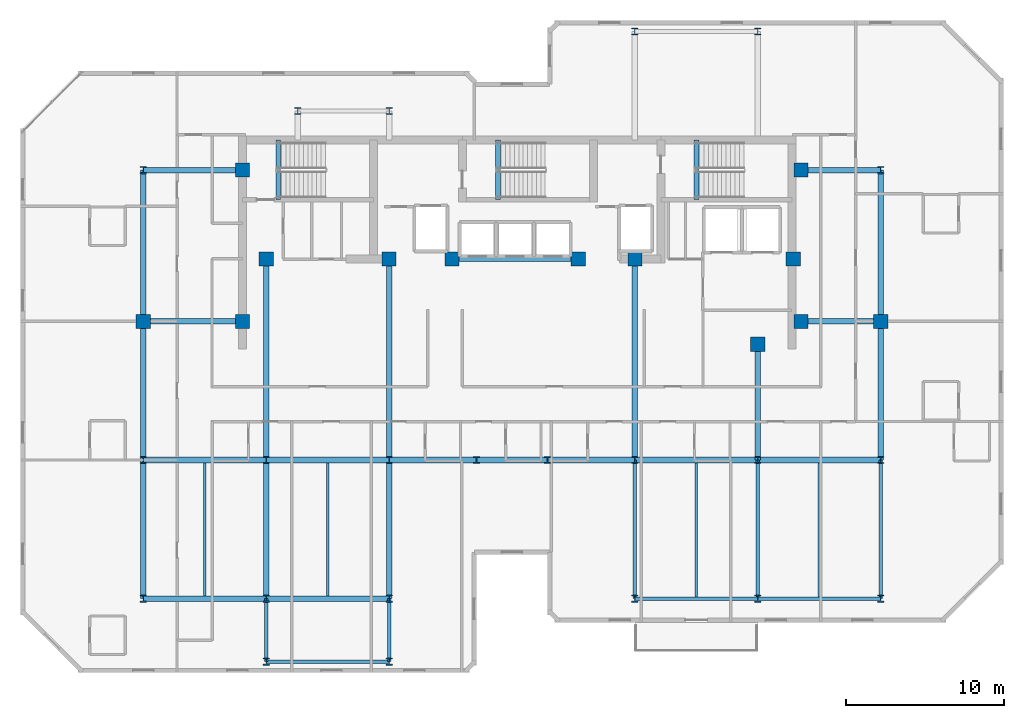
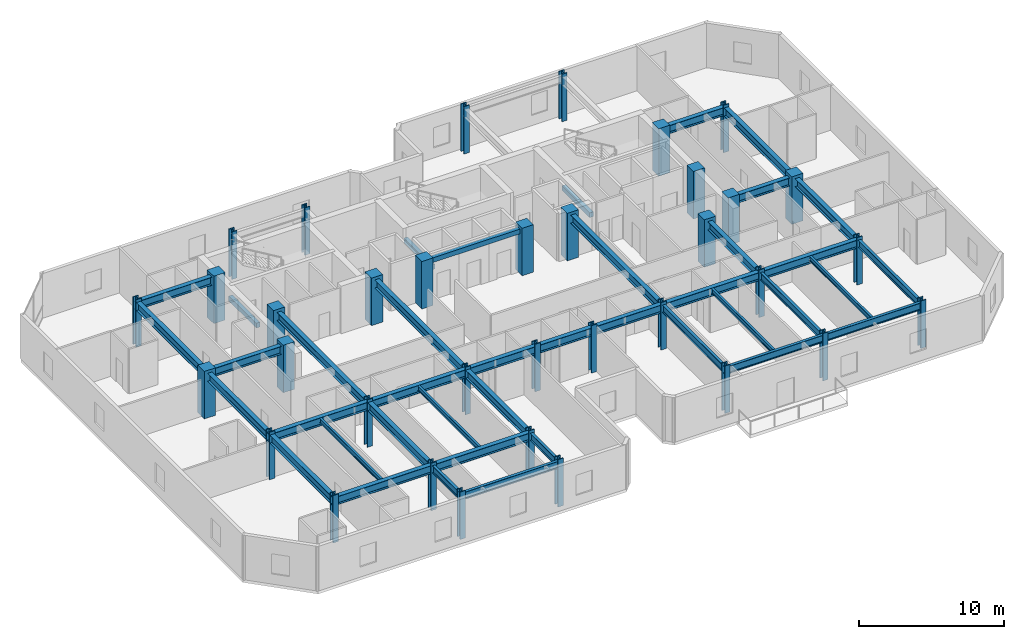
# One storey, part 1 of 11: 40 beams, 35 columns.
"""IFC4 building model written with IfcOpenShell, lengths in metres."""

from ifc_helpers import new_model, si_unit, direction, frame, origin, origin_2d, place, context, subcontext, project, spatial, rectangle, i_section, extrude, material, material_profile, profile_set, type_object, element, save


model = new_model("IFC4")

# Units and contexts
model_context = context("Model", 3, precision=1e-05, world=origin(), true_north=direction((0.0, 1.0)))
body_context = subcontext(model_context, "Body", "Model", "MODEL_VIEW")
ifc_project = project(units=[si_unit("LENGTHUNIT", "METRE"), si_unit("AREAUNIT", "SQUARE_METRE"), si_unit("VOLUMEUNIT", "CUBIC_METRE"), si_unit("PLANEANGLEUNIT", "RADIAN"), si_unit("MASSUNIT", "GRAM", prefix="KILO")], contexts=[model_context])

# Site, building, storey
site_placement = place(None, origin())
site = spatial("IfcSite", under=ifc_project, at=site_placement, CompositionType="ELEMENT")
building_placement = place(site_placement, origin())
building = spatial("IfcBuilding", under=site, at=building_placement, Name="Kestravale Grand Hotel", CompositionType="ELEMENT")
storey_placement = place(building_placement, frame((0.0, 0.0, 289.39990234375)))
storey = spatial("IfcBuildingStorey", under=building, at=storey_placement, Name="L72", CompositionType="ELEMENT", Elevation=289.39990234375)

# Columns
ifc_material_1 = material(Name="Concrete f'c 50 MPa", Category="concrete")
ifc_material_profile_1 = material_profile(ifc_material_1, rectangle(XDim=0.89990234375, YDim=0.89990234375, at=origin_2d()))
ifc_profile_set_1 = profile_set([ifc_material_profile_1], Name="Concrete f'c 50 MPa")
column_type_1 = type_object("IfcColumnType", Name="C-Z4-900", PredefinedType="COLUMN", material=ifc_profile_set_1)
for number, where, z_axis, x_axis, name in (
    (1, (15.60009765625, 28.800048828125, 0.0), (0.0, 0.0, 1.0), (1.0, 0.0, 0.0), "L72 column 3-E"),
    (2, (62.39990234375, 28.800048828125, 0.0), (0.0, 0.0, 1.0), (1.0, 0.0, 0.0), "L72 column 10-E"),
    (3, (21.89990234375, 28.800048828125, 0.0), (0.0, 0.0, 1.0), (1.0, 0.0, 0.0), "L72 column CW-E"),
    (4, (21.89990234375, 38.39990234375, 0.0), (0.0, 0.0, 1.0), (1.0, 0.0, 0.0), "L72 column CW-F"),
    (5, (57.35009765625, 28.800048828125, 0.0), (0.0, 0.0, 1.0), (1.0, 0.0, 0.0), "L72 column CE-E"),
    (6, (57.35009765625, 38.39990234375, 0.0), (0.0, 0.0, 1.0), (1.0, 0.0, 0.0), "L72 column CE-F"),
    (7, (23.39990234375, 32.75, 0.0), (0.0, 0.0, 1.0), (1.0, 0.0, 0.0), "L72 column 4-CS"),
    (8, (31.199951171875, 32.75, 0.0), (0.0, 0.0, 1.0), (1.0, 0.0, 0.0), "L72 column 5-CS"),
    (9, (35.199951171875, 32.75, 0.0), (0.0, 0.0, 1.0), (1.0, 0.0, 0.0), "L72 column 6C-CS"),
    (10, (43.199951171875, 32.75, 0.0), (0.0, 0.0, 1.0), (1.0, 0.0, 0.0), "L72 column 7C-CS"),
    (11, (46.800048828125, 32.75, 0.0), (0.0, 0.0, 1.0), (1.0, 0.0, 0.0), "L72 column 8-CS"),
    (12, (54.60009765625, 27.35009765625, 0.0), (0.0, 0.0, 1.0), (1.0, 0.0, 0.0), "L72 column 9-CS"),
    (13, (56.85009765625, 32.75, 0.0), (0.0, 0.0, 1.0), (1.0, 0.0, 0.0), "L72 column 9C-CS"),
):
    element("IfcColumn", number, at=place(storey_placement, frame(where, z_axis=z_axis, x_axis=x_axis)), inside=storey, type_object=column_type_1, Name=name, PredefinedType="COLUMN", context=body_context, shape_type="SweptSolid", body=[
        extrude(rectangle(XDim=0.89990234375, YDim=0.89990234375, at=origin_2d()), origin(), (0.0, 0.0, 1.0), 4.0),
    ])
ifc_material_2 = material(Name="Steel ASTM A992 Grade 50", Category="steel")
ifc_material_profile_2 = material_profile(ifc_material_2, i_section(OverallWidth=0.422119140625, OverallDepth=0.465087890625, WebThickness=0.044921875, FlangeThickness=0.072509765625, FilletRadius=0.0166015625, at=origin_2d()))
ifc_profile_set_2 = profile_set([ifc_material_profile_2], Name="Steel ASTM A992 Grade 50")
column_type_2 = type_object("IfcColumnType", Name="C-Z4-W14X398", PredefinedType="COLUMN", material=ifc_profile_set_2)
for number, where, z_axis, x_axis, name in (
    (14, (15.60009765625, 11.199951171875, 0.0), (0.0, 0.0, 1.0), (1.0, 0.0, 0.0), "L72 column 3-C"),
    (15, (15.60009765625, 20.0, 0.0), (0.0, 0.0, 1.0), (1.0, 0.0, 0.0), "L72 column 3-D"),
    (16, (15.60009765625, 38.39990234375, 0.0), (0.0, 0.0, 1.0), (1.0, 0.0, 0.0), "L72 column 3-F"),
    (17, (23.39990234375, 11.199951171875, 0.0), (0.0, 0.0, 1.0), (1.0, 0.0, 0.0), "L72 column 4-C"),
    (18, (23.39990234375, 20.0, 0.0), (0.0, 0.0, 1.0), (1.0, 0.0, 0.0), "L72 column 4-D"),
    (19, (31.199951171875, 11.199951171875, 0.0), (0.0, 0.0, 1.0), (1.0, 0.0, 0.0), "L72 column 5-C"),
    (20, (31.199951171875, 20.0, 0.0), (0.0, 0.0, 1.0), (1.0, 0.0, 0.0), "L72 column 5-D"),
    (21, (36.75, 20.0, 0.0), (0.0, 0.0, 1.0), (1.0, 0.0, 0.0), "L72 column 6-D"),
    (22, (41.25, 20.0, 0.0), (0.0, 0.0, 1.0), (1.0, 0.0, 0.0), "L72 column 7-D"),
    (23, (46.800048828125, 11.199951171875, 0.0), (0.0, 0.0, 1.0), (1.0, 0.0, 0.0), "L72 column 8-C"),
    (24, (46.800048828125, 20.0, 0.0), (0.0, 0.0, 1.0), (1.0, 0.0, 0.0), "L72 column 8-D"),
    (25, (46.800048828125, 47.199951171875, 0.0), (0.0, 0.0, 1.0), (1.0, 0.0, 0.0), "L72 column 8-G"),
    (26, (54.60009765625, 11.199951171875, 0.0), (0.0, 0.0, 1.0), (1.0, 0.0, 0.0), "L72 column 9-C"),
    (27, (54.60009765625, 20.0, 0.0), (0.0, 0.0, 1.0), (1.0, 0.0, 0.0), "L72 column 9-D"),
    (28, (54.60009765625, 47.199951171875, 0.0), (0.0, 0.0, 1.0), (1.0, 0.0, 0.0), "L72 column 9-G"),
    (29, (62.39990234375, 11.199951171875, 0.0), (0.0, 0.0, 1.0), (1.0, 0.0, 0.0), "L72 column 10-C"),
    (30, (62.39990234375, 20.0, 0.0), (0.0, 0.0, 1.0), (1.0, 0.0, 0.0), "L72 column 10-D"),
    (31, (62.39990234375, 38.39990234375, 0.0), (0.0, 0.0, 1.0), (1.0, 0.0, 0.0), "L72 column 10-F"),
    (32, (23.39990234375, 7.199951171875, 0.0), (0.0, 0.0, 1.0), (1.0, 0.0, 0.0), "L72 column 4-BS"),
    (33, (31.199951171875, 7.199951171875, 0.0), (0.0, 0.0, 1.0), (1.0, 0.0, 0.0), "L72 column 5-BS"),
    (34, (25.39990234375, 42.14990234375, 0.0), (0.0, 0.0, 1.0), (1.0, 0.0, 0.0), "L72 column 4-FN"),
    (35, (31.199951171875, 42.14990234375, 0.0), (0.0, 0.0, 1.0), (1.0, 0.0, 0.0), "L72 column 5-FN"),
):
    element("IfcColumn", number, at=place(storey_placement, frame(where, z_axis=z_axis, x_axis=x_axis)), inside=storey, type_object=column_type_2, Name=name, PredefinedType="COLUMN", context=body_context, shape_type="SweptSolid", body=[
        extrude(i_section(OverallWidth=0.422119140625, OverallDepth=0.465087890625, WebThickness=0.044921875, FlangeThickness=0.072509765625, FilletRadius=0.0166015625, at=origin_2d()), origin(), (0.0, 0.0, 1.0), 4.0),
    ])

# Beams
ifc_material_3 = material(Name="Steel ASTM A992 Grade 50", Category="steel")
ifc_material_profile_3 = material_profile(ifc_material_3, i_section(OverallWidth=0.177978515625, OverallDepth=0.404052734375, WebThickness=0.007568359375, FlangeThickness=0.010986328125, FilletRadius=0.01416015625, at=origin_2d()))
ifc_profile_set_3 = profile_set([ifc_material_profile_3], Name="Steel ASTM A992 Grade 50")
beam_type_1 = type_object("IfcBeamType", Name="B-FLR-JST16", PredefinedType="JOIST", material=ifc_profile_set_3)
for number, where, z_axis, x_axis, name in (
    (36, (19.5, 11.3779296875, 3.55810546875), (0.0, 1.0, 0.0), (-1.0, 0.0, 0.0), "L72 floor joist 3-4/C-D #1"),
    (37, (27.300048828125, 11.3779296875, 3.55810546875), (0.0, 1.0, 0.0), (-1.0, 0.0, 0.0), "L72 floor joist 4-5/C-D #1"),
):
    element("IfcBeam", number, at=place(storey_placement, frame(where, z_axis=z_axis, x_axis=x_axis)), inside=storey, type_object=beam_type_1, Name=name, PredefinedType="JOIST", context=body_context, shape_type="SweptSolid", body=[
        extrude(i_section(OverallWidth=0.177978515625, OverallDepth=0.404052734375, WebThickness=0.007568359375, FlangeThickness=0.010986328125, FilletRadius=0.01416015625, at=origin_2d()), origin(), (0.0, 0.0, 1.0), 8.444091796875),
    ])
for number, where, z_axis, x_axis, name in (
    (38, (50.699951171875, 11.314453125, 3.55810546875), (0.0, 1.0, 0.0), (-1.0, 0.0, 0.0), "L72 floor joist 8-9/C-D #1"),
    (39, (58.5, 11.314453125, 3.55810546875), (0.0, 1.0, 0.0), (-1.0, 0.0, 0.0), "L72 floor joist 9-10/C-D #1"),
):
    element("IfcBeam", number, at=place(storey_placement, frame(where, z_axis=z_axis, x_axis=x_axis)), inside=storey, type_object=beam_type_1, Name=name, PredefinedType="JOIST", context=body_context, shape_type="SweptSolid", body=[
        extrude(i_section(OverallWidth=0.177978515625, OverallDepth=0.404052734375, WebThickness=0.007568359375, FlangeThickness=0.010986328125, FilletRadius=0.01416015625, at=origin_2d()), origin(), (0.0, 0.0, 1.0), 8.507568359375),
    ])
ifc_material_4 = material(Name="Concrete f'c 45 MPa", Category="concrete")
ifc_material_profile_4 = material_profile(ifc_material_4, rectangle(XDim=0.300048828125, YDim=0.39990234375, at=origin_2d()))
ifc_profile_set_4 = profile_set([ifc_material_profile_4], Name="Concrete f'c 45 MPa")
beam_type_2 = type_object("IfcBeamType", Name="B-FLR-LNT400", PredefinedType="LINTEL", material=ifc_profile_set_4)
beam_1_placement = place(storey_placement, frame((35.199951171875, 32.75, 3.56005859375), z_axis=(1.0, 0.0, 0.0), x_axis=(0.0, 1.0, 0.0)))
element("IfcBeam", 40, at=beam_1_placement, inside=storey, type_object=beam_type_2, Name="L72 core portal header lintel", PredefinedType="LINTEL", context=body_context, shape_type="SweptSolid", body=[
    extrude(rectangle(XDim=0.300048828125, YDim=0.39990234375, at=origin_2d()), origin(), (0.0, 0.0, 1.0), 8.0),
])
for number, where, z_axis, x_axis, name in (
    (41, (24.159912109375, 36.52001953125, -0.199951171875), (0.0, 1.0, 0.0), (-1.0, 0.0, 0.0), "L72 ST1 flight bottom header beam"),
    (42, (38.110107421875, 36.52001953125, -0.199951171875), (0.0, 1.0, 0.0), (-1.0, 0.0, 0.0), "L72 ST2 flight bottom header beam"),
    (43, (50.7099609375, 36.52001953125, -0.199951171875), (0.0, 1.0, 0.0), (-1.0, 0.0, 0.0), "L72 ST3 flight bottom header beam"),
):
    element("IfcBeam", number, at=place(storey_placement, frame(where, z_axis=z_axis, x_axis=x_axis)), inside=storey, type_object=beam_type_2, Name=name, PredefinedType="LINTEL", context=body_context, shape_type="SweptSolid", body=[
        extrude(rectangle(XDim=0.300048828125, YDim=0.39990234375, at=origin_2d()), origin(), (0.0, 0.0, 1.0), 3.800048828125),
    ])
ifc_material_5 = material(Name="Steel ASTM A992 Grade 50", Category="steel")
ifc_material_profile_5 = material_profile(ifc_material_5, i_section(OverallWidth=0.22900390625, OverallDepth=0.612060546875, WebThickness=0.011962890625, FlangeThickness=0.01953125, FilletRadius=0.019287109375, at=origin_2d()))
ifc_profile_set_5 = profile_set([ifc_material_profile_5], Name="Steel ASTM A992 Grade 50")
beam_type_3 = type_object("IfcBeamType", Name="B-FLR-W24B", PredefinedType="SPANDREL", material=ifc_profile_set_5)
beam_2_placement = place(storey_placement, frame((46.800048828125, 11.199951171875, 3.4541015625), z_axis=(1.0, 0.0, 0.0), x_axis=(0.0, 1.0, 0.0)))
element("IfcBeam", 44, at=beam_2_placement, inside=storey, type_object=beam_type_3, Name="L72 spandrel C:8-9", PredefinedType="SPANDREL", context=body_context, shape_type="SweptSolid", body=[
    extrude(i_section(OverallWidth=0.22900390625, OverallDepth=0.612060546875, WebThickness=0.011962890625, FlangeThickness=0.01953125, FilletRadius=0.019287109375, at=origin_2d()), origin(), (0.0, 0.0, 1.0), 7.800048828125),
])
beam_3_placement = place(storey_placement, frame((54.60009765625, 11.199951171875, 3.4541015625), z_axis=(1.0, 0.0, 0.0), x_axis=(0.0, 1.0, 0.0)))
element("IfcBeam", 45, at=beam_3_placement, inside=storey, type_object=beam_type_3, Name="L72 spandrel C:9-10", PredefinedType="SPANDREL", context=body_context, shape_type="SweptSolid", body=[
    extrude(i_section(OverallWidth=0.22900390625, OverallDepth=0.612060546875, WebThickness=0.011962890625, FlangeThickness=0.01953125, FilletRadius=0.019287109375, at=origin_2d()), origin(), (0.0, 0.0, 1.0), 7.7998046875),
])
beam_4_placement = place(storey_placement, frame((23.39990234375, 7.199951171875, 3.4541015625), z_axis=(1.0, 0.0, 0.0), x_axis=(0.0, 1.0, 0.0)))
element("IfcBeam", 46, at=beam_4_placement, inside=storey, type_object=beam_type_3, Name="L72 perimeter tie spandrel BS:4-5", PredefinedType="SPANDREL", context=body_context, shape_type="SweptSolid", body=[
    extrude(i_section(OverallWidth=0.22900390625, OverallDepth=0.612060546875, WebThickness=0.011962890625, FlangeThickness=0.01953125, FilletRadius=0.019287109375, at=origin_2d()), origin(), (0.0, 0.0, 1.0), 7.800048828125),
])
for number, where, z_axis, x_axis, name in (
    (47, (23.39990234375, 7.199951171875, 3.4541015625), (0.0, 1.0, 0.0), (-1.0, 0.0, 0.0), "L72 spandrel 4:BS-C"),
    (48, (31.199951171875, 7.199951171875, 3.4541015625), (0.0, 1.0, 0.0), (-1.0, 0.0, 0.0), "L72 spandrel 5:BS-C"),
):
    element("IfcBeam", number, at=place(storey_placement, frame(where, z_axis=z_axis, x_axis=x_axis)), inside=storey, type_object=beam_type_3, Name=name, PredefinedType="SPANDREL", context=body_context, shape_type="SweptSolid", body=[
        extrude(i_section(OverallWidth=0.22900390625, OverallDepth=0.612060546875, WebThickness=0.011962890625, FlangeThickness=0.01953125, FilletRadius=0.019287109375, at=origin_2d()), origin(), (0.0, 0.0, 1.0), 4.0),
    ])
for number, where, z_axis, x_axis, name in (
    (49, (46.800048828125, 11.199951171875, 3.4541015625), (0.0, 1.0, 0.0), (-1.0, 0.0, 0.0), "L72 spandrel 8:C-D"),
    (50, (54.60009765625, 11.199951171875, 3.4541015625), (0.0, 1.0, 0.0), (-1.0, 0.0, 0.0), "L72 spandrel 9:C-D"),
    (51, (62.39990234375, 11.199951171875, 3.4541015625), (0.0, 1.0, 0.0), (-1.0, 0.0, 0.0), "L72 spandrel 10:C-D"),
):
    element("IfcBeam", number, at=place(storey_placement, frame(where, z_axis=z_axis, x_axis=x_axis)), inside=storey, type_object=beam_type_3, Name=name, PredefinedType="SPANDREL", context=body_context, shape_type="SweptSolid", body=[
        extrude(i_section(OverallWidth=0.22900390625, OverallDepth=0.612060546875, WebThickness=0.011962890625, FlangeThickness=0.01953125, FilletRadius=0.019287109375, at=origin_2d()), origin(), (0.0, 0.0, 1.0), 8.800048828125),
    ])
ifc_material_6 = material(Name="Steel ASTM A992 Grade 50", Category="steel")
ifc_material_profile_6 = material_profile(ifc_material_6, i_section(OverallWidth=0.35595703125, OverallDepth=0.696044921875, WebThickness=0.015380859375, FlangeThickness=0.02490234375, FilletRadius=0.021240234375, at=origin_2d()))
ifc_profile_set_6 = profile_set([ifc_material_profile_6], Name="Steel ASTM A992 Grade 50")
beam_type_4 = type_object("IfcBeamType", Name="B-GRD-W27", PredefinedType="BEAM", material=ifc_profile_set_6)
beam_5_placement = place(storey_placement, frame((15.60009765625, 11.199951171875, 3.412109375), z_axis=(1.0, 0.0, 0.0), x_axis=(0.0, 1.0, 0.0)))
element("IfcBeam", 52, at=beam_5_placement, inside=storey, type_object=beam_type_4, Name="L72 girder C:3-4", PredefinedType="BEAM", context=body_context, shape_type="SweptSolid", body=[
    extrude(i_section(OverallWidth=0.35595703125, OverallDepth=0.696044921875, WebThickness=0.015380859375, FlangeThickness=0.02490234375, FilletRadius=0.021240234375, at=origin_2d()), origin(), (0.0, 0.0, 1.0), 7.7998046875),
])
beam_6_placement = place(storey_placement, frame((23.39990234375, 11.199951171875, 3.412109375), z_axis=(1.0, 0.0, 0.0), x_axis=(0.0, 1.0, 0.0)))
element("IfcBeam", 53, at=beam_6_placement, inside=storey, type_object=beam_type_4, Name="L72 girder C:4-5", PredefinedType="BEAM", context=body_context, shape_type="SweptSolid", body=[
    extrude(i_section(OverallWidth=0.35595703125, OverallDepth=0.696044921875, WebThickness=0.015380859375, FlangeThickness=0.02490234375, FilletRadius=0.021240234375, at=origin_2d()), origin(), (0.0, 0.0, 1.0), 7.800048828125),
])
beam_7_placement = place(storey_placement, frame((15.60009765625, 20.0, 3.412109375), z_axis=(1.0, 0.0, 0.0), x_axis=(0.0, 1.0, 0.0)))
element("IfcBeam", 54, at=beam_7_placement, inside=storey, type_object=beam_type_4, Name="L72 girder D:3-4", PredefinedType="BEAM", context=body_context, shape_type="SweptSolid", body=[
    extrude(i_section(OverallWidth=0.35595703125, OverallDepth=0.696044921875, WebThickness=0.015380859375, FlangeThickness=0.02490234375, FilletRadius=0.021240234375, at=origin_2d()), origin(), (0.0, 0.0, 1.0), 7.7998046875),
])
beam_8_placement = place(storey_placement, frame((23.39990234375, 20.0, 3.412109375), z_axis=(1.0, 0.0, 0.0), x_axis=(0.0, 1.0, 0.0)))
element("IfcBeam", 55, at=beam_8_placement, inside=storey, type_object=beam_type_4, Name="L72 girder D:4-5", PredefinedType="BEAM", context=body_context, shape_type="SweptSolid", body=[
    extrude(i_section(OverallWidth=0.35595703125, OverallDepth=0.696044921875, WebThickness=0.015380859375, FlangeThickness=0.02490234375, FilletRadius=0.021240234375, at=origin_2d()), origin(), (0.0, 0.0, 1.0), 7.800048828125),
])
beam_9_placement = place(storey_placement, frame((31.199951171875, 20.0, 3.412109375), z_axis=(1.0, 0.0, 0.0), x_axis=(0.0, 1.0, 0.0)))
element("IfcBeam", 56, at=beam_9_placement, inside=storey, type_object=beam_type_4, Name="L72 girder D:5-6", PredefinedType="BEAM", context=body_context, shape_type="SweptSolid", body=[
    extrude(i_section(OverallWidth=0.35595703125, OverallDepth=0.696044921875, WebThickness=0.015380859375, FlangeThickness=0.02490234375, FilletRadius=0.021240234375, at=origin_2d()), origin(), (0.0, 0.0, 1.0), 5.550048828125),
])
beam_10_placement = place(storey_placement, frame((36.75, 20.0, 3.412109375), z_axis=(1.0, 0.0, 0.0), x_axis=(0.0, 1.0, 0.0)))
element("IfcBeam", 57, at=beam_10_placement, inside=storey, type_object=beam_type_4, Name="L72 girder D:6-7", PredefinedType="BEAM", context=body_context, shape_type="SweptSolid", body=[
    extrude(i_section(OverallWidth=0.35595703125, OverallDepth=0.696044921875, WebThickness=0.015380859375, FlangeThickness=0.02490234375, FilletRadius=0.021240234375, at=origin_2d()), origin(), (0.0, 0.0, 1.0), 4.5),
])
beam_11_placement = place(storey_placement, frame((41.25, 20.0, 3.412109375), z_axis=(1.0, 0.0, 0.0), x_axis=(0.0, 1.0, 0.0)))
element("IfcBeam", 58, at=beam_11_placement, inside=storey, type_object=beam_type_4, Name="L72 girder D:7-8", PredefinedType="BEAM", context=body_context, shape_type="SweptSolid", body=[
    extrude(i_section(OverallWidth=0.35595703125, OverallDepth=0.696044921875, WebThickness=0.015380859375, FlangeThickness=0.02490234375, FilletRadius=0.021240234375, at=origin_2d()), origin(), (0.0, 0.0, 1.0), 5.550048828125),
])
beam_12_placement = place(storey_placement, frame((46.800048828125, 20.0, 3.412109375), z_axis=(1.0, 0.0, 0.0), x_axis=(0.0, 1.0, 0.0)))
element("IfcBeam", 59, at=beam_12_placement, inside=storey, type_object=beam_type_4, Name="L72 girder D:8-9", PredefinedType="BEAM", context=body_context, shape_type="SweptSolid", body=[
    extrude(i_section(OverallWidth=0.35595703125, OverallDepth=0.696044921875, WebThickness=0.015380859375, FlangeThickness=0.02490234375, FilletRadius=0.021240234375, at=origin_2d()), origin(), (0.0, 0.0, 1.0), 7.800048828125),
])
beam_13_placement = place(storey_placement, frame((54.60009765625, 20.0, 3.412109375), z_axis=(1.0, 0.0, 0.0), x_axis=(0.0, 1.0, 0.0)))
element("IfcBeam", 60, at=beam_13_placement, inside=storey, type_object=beam_type_4, Name="L72 girder D:9-10", PredefinedType="BEAM", context=body_context, shape_type="SweptSolid", body=[
    extrude(i_section(OverallWidth=0.35595703125, OverallDepth=0.696044921875, WebThickness=0.015380859375, FlangeThickness=0.02490234375, FilletRadius=0.021240234375, at=origin_2d()), origin(), (0.0, 0.0, 1.0), 7.7998046875),
])
beam_14_placement = place(storey_placement, frame((15.60009765625, 28.800048828125, 3.412109375), z_axis=(1.0, 0.0, 0.0), x_axis=(0.0, 1.0, 0.0)))
element("IfcBeam", 61, at=beam_14_placement, inside=storey, type_object=beam_type_4, Name="L72 girder E:3-CW", PredefinedType="BEAM", context=body_context, shape_type="SweptSolid", body=[
    extrude(i_section(OverallWidth=0.35595703125, OverallDepth=0.696044921875, WebThickness=0.015380859375, FlangeThickness=0.02490234375, FilletRadius=0.021240234375, at=origin_2d()), origin(), (0.0, 0.0, 1.0), 6.2998046875),
])
beam_15_placement = place(storey_placement, frame((57.35009765625, 28.800048828125, 3.412109375), z_axis=(1.0, 0.0, 0.0), x_axis=(0.0, 1.0, 0.0)))
element("IfcBeam", 62, at=beam_15_placement, inside=storey, type_object=beam_type_4, Name="L72 girder E:CE-10", PredefinedType="BEAM", context=body_context, shape_type="SweptSolid", body=[
    extrude(i_section(OverallWidth=0.35595703125, OverallDepth=0.696044921875, WebThickness=0.015380859375, FlangeThickness=0.02490234375, FilletRadius=0.021240234375, at=origin_2d()), origin(), (0.0, 0.0, 1.0), 5.0498046875),
])
beam_16_placement = place(storey_placement, frame((15.60009765625, 38.39990234375, 3.412109375), z_axis=(1.0, 0.0, 0.0), x_axis=(0.0, 1.0, 0.0)))
element("IfcBeam", 63, at=beam_16_placement, inside=storey, type_object=beam_type_4, Name="L72 girder F:3-CW", PredefinedType="BEAM", context=body_context, shape_type="SweptSolid", body=[
    extrude(i_section(OverallWidth=0.35595703125, OverallDepth=0.696044921875, WebThickness=0.015380859375, FlangeThickness=0.02490234375, FilletRadius=0.021240234375, at=origin_2d()), origin(), (0.0, 0.0, 1.0), 6.2998046875),
])
beam_17_placement = place(storey_placement, frame((57.35009765625, 38.39990234375, 3.412109375), z_axis=(1.0, 0.0, 0.0), x_axis=(0.0, 1.0, 0.0)))
element("IfcBeam", 64, at=beam_17_placement, inside=storey, type_object=beam_type_4, Name="L72 girder F:CE-10", PredefinedType="BEAM", context=body_context, shape_type="SweptSolid", body=[
    extrude(i_section(OverallWidth=0.35595703125, OverallDepth=0.696044921875, WebThickness=0.015380859375, FlangeThickness=0.02490234375, FilletRadius=0.021240234375, at=origin_2d()), origin(), (0.0, 0.0, 1.0), 5.0498046875),
])
for number, where, z_axis, x_axis, name in (
    (65, (15.60009765625, 11.199951171875, 3.412109375), (0.0, 1.0, 0.0), (-1.0, 0.0, 0.0), "L72 girder 3:C-D"),
    (66, (15.60009765625, 20.0, 3.412109375), (0.0, 1.0, 0.0), (-1.0, 0.0, 0.0), "L72 girder 3:D-E"),
):
    element("IfcBeam", number, at=place(storey_placement, frame(where, z_axis=z_axis, x_axis=x_axis)), inside=storey, type_object=beam_type_4, Name=name, PredefinedType="BEAM", context=body_context, shape_type="SweptSolid", body=[
        extrude(i_section(OverallWidth=0.35595703125, OverallDepth=0.696044921875, WebThickness=0.015380859375, FlangeThickness=0.02490234375, FilletRadius=0.021240234375, at=origin_2d()), origin(), (0.0, 0.0, 1.0), 8.800048828125),
    ])
beam_18_placement = place(storey_placement, frame((15.60009765625, 28.800048828125, 3.412109375), z_axis=(0.0, 1.0, 0.0), x_axis=(-1.0, 0.0, 0.0)))
element("IfcBeam", 67, at=beam_18_placement, inside=storey, type_object=beam_type_4, Name="L72 girder 3:E-F", PredefinedType="BEAM", context=body_context, shape_type="SweptSolid", body=[
    extrude(i_section(OverallWidth=0.35595703125, OverallDepth=0.696044921875, WebThickness=0.015380859375, FlangeThickness=0.02490234375, FilletRadius=0.021240234375, at=origin_2d()), origin(), (0.0, 0.0, 1.0), 9.599853515625),
])
beam_19_placement = place(storey_placement, frame((23.39990234375, 11.199951171875, 3.412109375), z_axis=(0.0, 1.0, 0.0), x_axis=(-1.0, 0.0, 0.0)))
element("IfcBeam", 68, at=beam_19_placement, inside=storey, type_object=beam_type_4, Name="L72 girder 4:C-D", PredefinedType="BEAM", context=body_context, shape_type="SweptSolid", body=[
    extrude(i_section(OverallWidth=0.35595703125, OverallDepth=0.696044921875, WebThickness=0.015380859375, FlangeThickness=0.02490234375, FilletRadius=0.021240234375, at=origin_2d()), origin(), (0.0, 0.0, 1.0), 8.800048828125),
])
beam_20_placement = place(storey_placement, frame((23.39990234375, 20.0, 3.412109375), z_axis=(0.0, 1.0, 0.0), x_axis=(-1.0, 0.0, 0.0)))
element("IfcBeam", 69, at=beam_20_placement, inside=storey, type_object=beam_type_4, Name="L72 girder 4:D-CS", PredefinedType="BEAM", context=body_context, shape_type="SweptSolid", body=[
    extrude(i_section(OverallWidth=0.35595703125, OverallDepth=0.696044921875, WebThickness=0.015380859375, FlangeThickness=0.02490234375, FilletRadius=0.021240234375, at=origin_2d()), origin(), (0.0, 0.0, 1.0), 12.75),
])
beam_21_placement = place(storey_placement, frame((31.199951171875, 11.199951171875, 3.412109375), z_axis=(0.0, 1.0, 0.0), x_axis=(-1.0, 0.0, 0.0)))
element("IfcBeam", 70, at=beam_21_placement, inside=storey, type_object=beam_type_4, Name="L72 girder 5:C-D", PredefinedType="BEAM", context=body_context, shape_type="SweptSolid", body=[
    extrude(i_section(OverallWidth=0.35595703125, OverallDepth=0.696044921875, WebThickness=0.015380859375, FlangeThickness=0.02490234375, FilletRadius=0.021240234375, at=origin_2d()), origin(), (0.0, 0.0, 1.0), 8.800048828125),
])
for number, where, z_axis, x_axis, name in (
    (71, (31.199951171875, 20.0, 3.412109375), (0.0, 1.0, 0.0), (-1.0, 0.0, 0.0), "L72 girder 5:D-CS"),
    (72, (46.800048828125, 20.0, 3.412109375), (0.0, 1.0, 0.0), (-1.0, 0.0, 0.0), "L72 girder 8:D-CS"),
):
    element("IfcBeam", number, at=place(storey_placement, frame(where, z_axis=z_axis, x_axis=x_axis)), inside=storey, type_object=beam_type_4, Name=name, PredefinedType="BEAM", context=body_context, shape_type="SweptSolid", body=[
        extrude(i_section(OverallWidth=0.35595703125, OverallDepth=0.696044921875, WebThickness=0.015380859375, FlangeThickness=0.02490234375, FilletRadius=0.021240234375, at=origin_2d()), origin(), (0.0, 0.0, 1.0), 12.75),
    ])
beam_22_placement = place(storey_placement, frame((54.60009765625, 20.0, 3.412109375), z_axis=(0.0, 1.0, 0.0), x_axis=(-1.0, 0.0, 0.0)))
element("IfcBeam", 73, at=beam_22_placement, inside=storey, type_object=beam_type_4, Name="L72 girder 9:D-CS", PredefinedType="BEAM", context=body_context, shape_type="SweptSolid", body=[
    extrude(i_section(OverallWidth=0.35595703125, OverallDepth=0.696044921875, WebThickness=0.015380859375, FlangeThickness=0.02490234375, FilletRadius=0.021240234375, at=origin_2d()), origin(), (0.0, 0.0, 1.0), 7.35009765625),
])
beam_23_placement = place(storey_placement, frame((62.39990234375, 20.0, 3.412109375), z_axis=(0.0, 1.0, 0.0), x_axis=(-1.0, 0.0, 0.0)))
element("IfcBeam", 74, at=beam_23_placement, inside=storey, type_object=beam_type_4, Name="L72 girder 10:D-E", PredefinedType="BEAM", context=body_context, shape_type="SweptSolid", body=[
    extrude(i_section(OverallWidth=0.35595703125, OverallDepth=0.696044921875, WebThickness=0.015380859375, FlangeThickness=0.02490234375, FilletRadius=0.021240234375, at=origin_2d()), origin(), (0.0, 0.0, 1.0), 8.800048828125),
])
beam_24_placement = place(storey_placement, frame((62.39990234375, 28.800048828125, 3.412109375), z_axis=(0.0, 1.0, 0.0), x_axis=(-1.0, 0.0, 0.0)))
element("IfcBeam", 75, at=beam_24_placement, inside=storey, type_object=beam_type_4, Name="L72 girder 10:E-F", PredefinedType="BEAM", context=body_context, shape_type="SweptSolid", body=[
    extrude(i_section(OverallWidth=0.35595703125, OverallDepth=0.696044921875, WebThickness=0.015380859375, FlangeThickness=0.02490234375, FilletRadius=0.021240234375, at=origin_2d()), origin(), (0.0, 0.0, 1.0), 9.599853515625),
])

save(model, "model.ifc")
